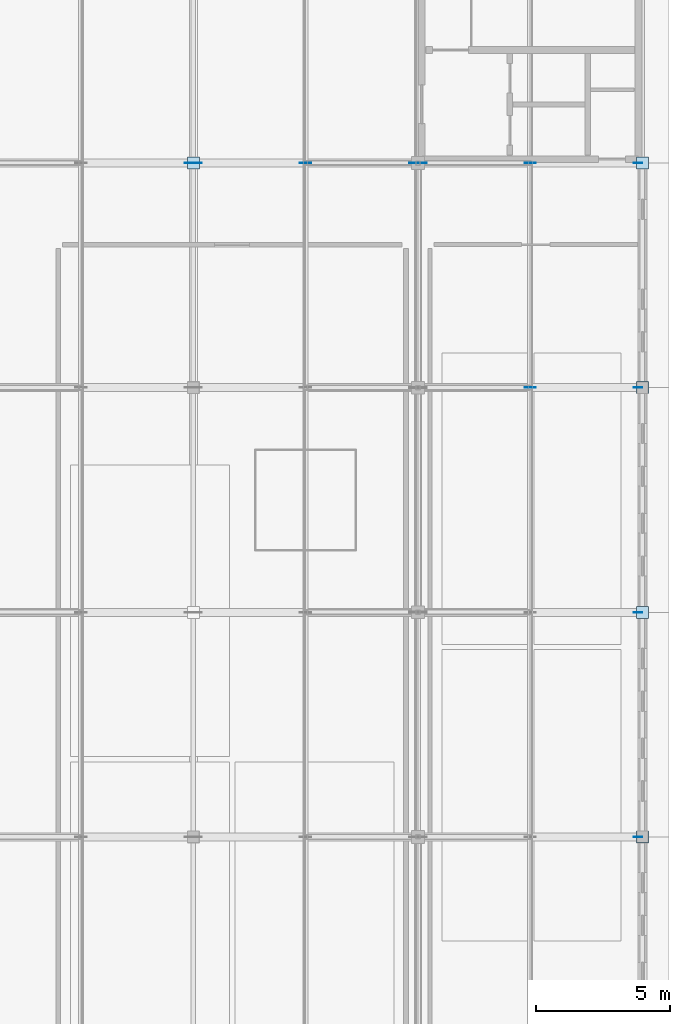
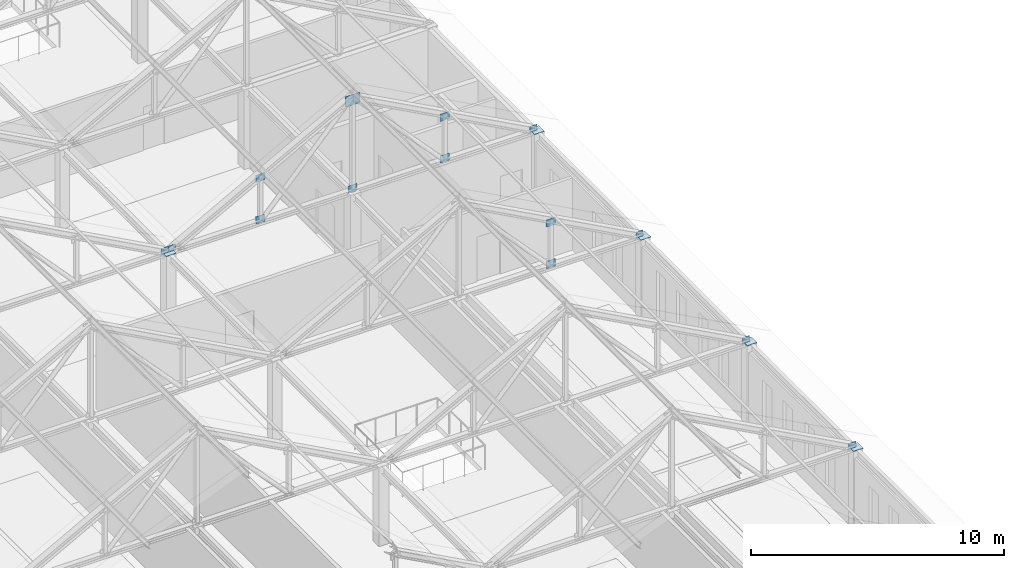
# One storey, part 25 of 36: 19 plates.
"""IFC4 building model written with IfcOpenShell, lengths in metres."""

from ifc_helpers import new_model, si_unit, direction, frame, origin, origin_2d, place, context, subcontext, project, spatial, rectangle, extrude, material, layer, layer_set, type_object, element, save


model = new_model("IFC4")

# Units and contexts
model_context = context("Model", 3, precision=1e-05, world=origin(), true_north=direction((0.0, 1.0)))
body_context = subcontext(model_context, "Body", "Model", "MODEL_VIEW")
ifc_project = project(units=[si_unit("LENGTHUNIT", "METRE"), si_unit("AREAUNIT", "SQUARE_METRE"), si_unit("VOLUMEUNIT", "CUBIC_METRE"), si_unit("PLANEANGLEUNIT", "RADIAN"), si_unit("MASSUNIT", "GRAM", prefix="KILO")], contexts=[model_context])

# Site, building, storey
site_placement = place(None, origin())
site = spatial("IfcSite", under=ifc_project, at=site_placement, CompositionType="ELEMENT")
building_placement = place(site_placement, origin())
building = spatial("IfcBuilding", under=site, at=building_placement, Name="Kveldsbrygga Polytechnic", CompositionType="ELEMENT")
storey_placement = place(building_placement, frame((0.0, 0.0, 26.179931640625)))
storey = spatial("IfcBuildingStorey", under=building, at=storey_placement, Name="L06", CompositionType="ELEMENT", Elevation=26.179931640625)

# Plates
ifc_material = material(Name="Steel S355", Category="steel")
ifc_layer_1 = layer(ifc_material, 0.030029296875)
ifc_layer_set_1 = layer_set([ifc_layer_1], Name="Steel S355")
plate_type_1 = type_object("IfcPlateType", Name="CAP-BEAR-450", PredefinedType="SHEET", material=ifc_layer_set_1)
for number, where, z_axis, x_axis, name in (
    (1, (142.800048828125, 75.60009765625, 3.81005859375), (0.0, 0.0, 1.0), (1.0, 0.0, 0.0), "Truss Bearing Plate V4M1-T08-B"),
    (2, (159.60009765625, 50.39990234375, 3.81005859375), (0.0, 0.0, 1.0), (1.0, 0.0, 0.0), "Truss Bearing Plate V4M2-T05-B"),
    (3, (159.60009765625, 58.800048828125, 3.81005859375), (0.0, 0.0, 1.0), (1.0, 0.0, 0.0), "Truss Bearing Plate V4M2-T06-B"),
    (4, (159.60009765625, 67.199951171875, 3.81005859375), (0.0, 0.0, 1.0), (1.0, 0.0, 0.0), "Truss Bearing Plate V4M2-T07-B"),
    (5, (159.60009765625, 75.60009765625, 3.81005859375), (0.0, 0.0, 1.0), (1.0, 0.0, 0.0), "Truss Bearing Plate V4M2-T08-B"),
):
    element("IfcPlate", number, at=place(storey_placement, frame(where, z_axis=z_axis, x_axis=x_axis)), inside=storey, type_object=plate_type_1, Name=name, PredefinedType="SHEET", context=body_context, shape_type="SweptSolid", body=[
        extrude(rectangle(XDim=0.449951171875, YDim=0.449951171875, at=origin_2d()), origin(), (0.0, 0.0, 1.0), 0.030029296875),
    ])
ifc_layer_2 = layer(ifc_material, 0.02490234375)
ifc_layer_set_2 = layer_set([ifc_layer_2], Name="Steel S355")
plate_type_2 = type_object("IfcPlateType", Name="GUS-APEX-650", PredefinedType="SHEET", material=ifc_layer_set_2)
plate_placement = place(storey_placement, frame((151.199951171875, 75.60009765625, 7.989990234375), z_axis=(0.0, 0.0, 1.0), x_axis=(1.0, 0.0, 0.0)))
element("IfcPlate", 6, at=plate_placement, inside=storey, type_object=plate_type_2, Name="Truss Gusset Plate V4M2-T08-GP-2", PredefinedType="SHEET", context=body_context, shape_type="SweptSolid", body=[
    extrude(rectangle(XDim=0.64990234375, YDim=0.02490234375, at=origin_2d()), origin(), (0.0, 0.0, 1.0), 0.5),
])
ifc_layer_3 = layer(ifc_material, 0.01806640625)
ifc_layer_set_3 = layer_set([ifc_layer_3], Name="Steel S355")
plate_type_3 = type_object("IfcPlateType", Name="GUS-BRACE-320", PredefinedType="SHEET", material=ifc_layer_set_3)
for number, where, z_axis, x_axis, name in (
    (7, (142.639892578125, 75.60009765625, 3.7998046875), (0.0, 0.0, 1.0), (1.0, 0.0, 0.0), "Truss Eaves Node Gusset V4M1-T08-EGP-B"),
    (8, (159.43994140625, 50.39990234375, 3.7998046875), (0.0, 0.0, 1.0), (1.0, 0.0, 0.0), "Truss Eaves Node Gusset V4M2-T05-EGP-B"),
    (9, (159.43994140625, 58.800048828125, 3.7998046875), (0.0, 0.0, 1.0), (1.0, 0.0, 0.0), "Truss Eaves Node Gusset V4M2-T06-EGP-B"),
    (10, (159.43994140625, 67.199951171875, 3.7998046875), (0.0, 0.0, 1.0), (1.0, 0.0, 0.0), "Truss Eaves Node Gusset V4M2-T07-EGP-B"),
    (11, (142.9599609375, 75.60009765625, 3.7998046875), (0.0, 0.0, 1.0), (1.0, 0.0, 0.0), "Truss Eaves Node Gusset V4M2-T08-EGP-A"),
    (12, (159.43994140625, 75.60009765625, 3.7998046875), (0.0, 0.0, 1.0), (1.0, 0.0, 0.0), "Truss Eaves Node Gusset V4M2-T08-EGP-B"),
):
    element("IfcPlate", number, at=place(storey_placement, frame(where, z_axis=z_axis, x_axis=x_axis)), inside=storey, type_object=plate_type_3, Name=name, PredefinedType="SHEET", context=body_context, shape_type="SweptSolid", body=[
        extrude(rectangle(XDim=0.320068359375, YDim=0.01806640625, at=origin_2d()), origin(), (0.0, 0.0, 1.0), 0.320068359375),
    ])
ifc_layer_4 = layer(ifc_material, 0.02001953125)
ifc_layer_set_4 = layer_set([ifc_layer_4], Name="Steel S355")
plate_type_4 = type_object("IfcPlateType", Name="GUS-LECT-420", PredefinedType="SHEET", material=ifc_layer_set_4)
for number, where, z_axis, x_axis, name in (
    (13, (155.39990234375, 67.199951171875, 5.7900390625), (0.0, 0.0, 1.0), (1.0, 0.0, 0.0), "Truss Gusset Plate V4M2-T07-GP-3"),
    (14, (155.39990234375, 67.199951171875, 3.784912109375), (0.0, 0.0, 1.0), (1.0, 0.0, 0.0), "Truss Bottom-Chord Node Gusset V4M2-T07-BGP-3"),
    (15, (147.0, 75.60009765625, 5.7900390625), (0.0, 0.0, 1.0), (1.0, 0.0, 0.0), "Truss Gusset Plate V4M2-T08-GP-1"),
    (16, (147.0, 75.60009765625, 3.784912109375), (0.0, 0.0, 1.0), (1.0, 0.0, 0.0), "Truss Bottom-Chord Node Gusset V4M2-T08-BGP-1"),
    (17, (151.199951171875, 75.60009765625, 3.784912109375), (0.0, 0.0, 1.0), (1.0, 0.0, 0.0), "Truss Bottom-Chord Node Gusset V4M2-T08-BGP-2"),
    (18, (155.39990234375, 75.60009765625, 5.7900390625), (0.0, 0.0, 1.0), (1.0, 0.0, 0.0), "Truss Gusset Plate V4M2-T08-GP-3"),
    (19, (155.39990234375, 75.60009765625, 3.784912109375), (0.0, 0.0, 1.0), (1.0, 0.0, 0.0), "Truss Bottom-Chord Node Gusset V4M2-T08-BGP-3"),
):
    element("IfcPlate", number, at=place(storey_placement, frame(where, z_axis=z_axis, x_axis=x_axis)), inside=storey, type_object=plate_type_4, Name=name, PredefinedType="SHEET", context=body_context, shape_type="SweptSolid", body=[
        extrude(rectangle(XDim=0.419921875, YDim=0.02001953125, at=origin_2d()), origin(), (0.0, 0.0, 1.0), 0.35009765625),
    ])

save(model, "model.ifc")
